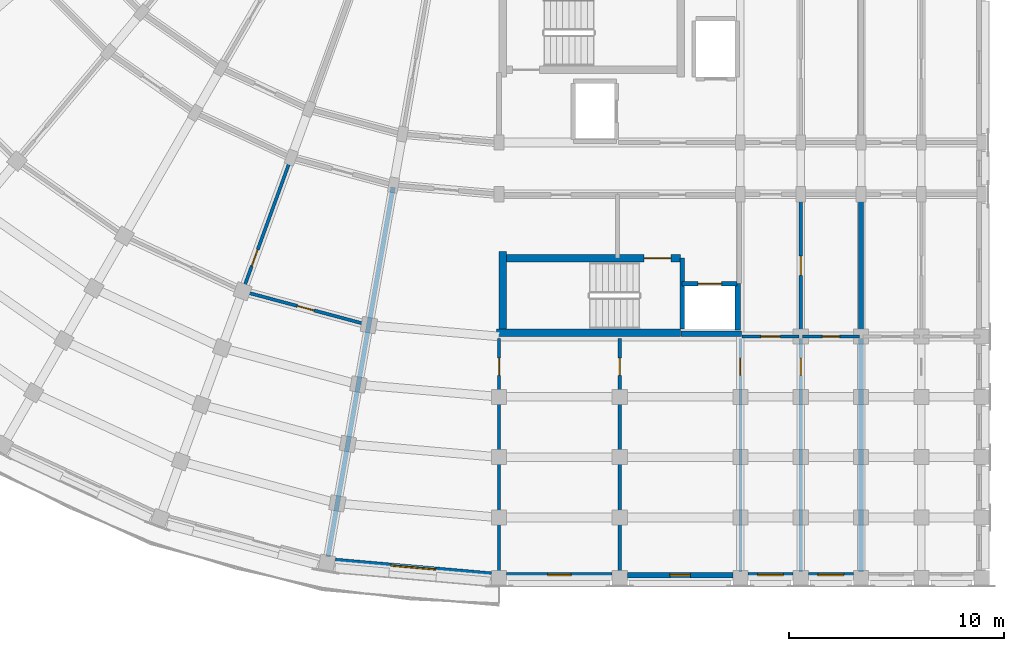
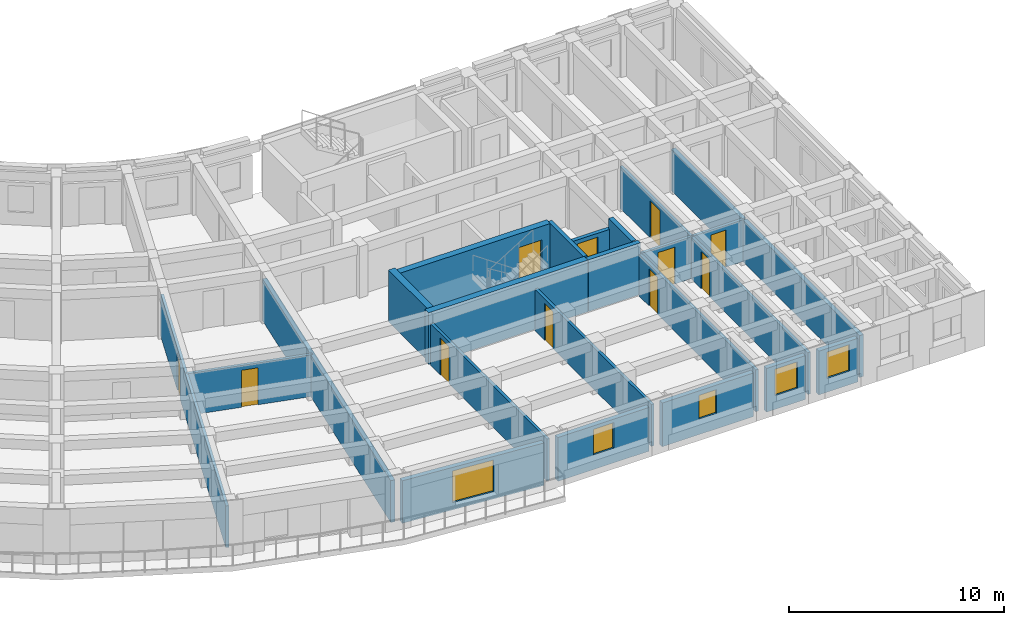
# One storey, part 16 of 57: 24 walls, 11 doors, 5 windows, 16 openings.
"""IFC4 building model written with IfcOpenShell, lengths in metres."""

from ifc_helpers import new_model, si_unit, direction, frame, frame_2d, origin, place, context, subcontext, project, spatial, rectangle, extrude, material, layer, layer_set, type_object, element, fill, save


model = new_model("IFC4")

# Units and contexts
model_context = context("Model", 3, precision=1e-05, world=origin(), true_north=direction((0.0, 1.0)))
body_context = subcontext(model_context, "Body", "Model", "MODEL_VIEW")
ifc_project = project(units=[si_unit("LENGTHUNIT", "METRE"), si_unit("AREAUNIT", "SQUARE_METRE"), si_unit("VOLUMEUNIT", "CUBIC_METRE"), si_unit("PLANEANGLEUNIT", "RADIAN"), si_unit("MASSUNIT", "GRAM", prefix="KILO")], contexts=[model_context])

# Site, building, storey
site_placement = place(None, origin())
site = spatial("IfcSite", under=ifc_project, at=site_placement, CompositionType="ELEMENT")
building_placement = place(site_placement, origin())
building = spatial("IfcBuilding", under=site, at=building_placement, Name="Kiranvali Square Residences", CompositionType="ELEMENT")
storey_placement = place(building_placement, frame((0.0, 0.0, 18.14990234375)))
storey = spatial("IfcBuildingStorey", under=building, at=storey_placement, Name="L05", CompositionType="ELEMENT", Elevation=18.14990234375)

# Walls
ifc_material_1 = material(Name="Autoclaved aerated concrete blockwork masonry", Category="masonry")
ifc_layer_1 = layer(ifc_material_1, 0.219970703125)
ifc_layer_set_1 = layer_set([ifc_layer_1], Name="Autoclaved aerated concrete blockwork masonry")
wall_type_1 = type_object("IfcWallType", Name="WL-DEM-220", PredefinedType="STANDARD", material=ifc_layer_set_1)
wall_1_placement = place(storey_placement, frame((65.0, 19.949951171875, 0.0), z_axis=(0.0, 0.0, 1.0), x_axis=(0.0, -1.0, 0.0)))
element("IfcWall", 1, at=wall_1_placement, inside=storey, type_object=wall_type_1, Name="L05 architectural wall WL-L05-C-A1TO1-2", PredefinedType="STANDARD", context=body_context, shape_type="SweptSolid", body=[
    extrude(rectangle(XDim=6.530029296875, YDim=0.219970703125, at=frame_2d((3.26513671875, 0.0))), origin(), (0.0, 0.0, 1.0), 2.3720703125),
])
wall_2_placement = place(storey_placement, frame((65.0, 13.300048828125, 0.0), z_axis=(0.0, 0.0, 1.0), x_axis=(0.0, -1.0, 0.0)))
element("IfcWall", 2, at=wall_2_placement, inside=storey, type_object=wall_type_1, Name="L05 architectural wall WL-L05-C-A1TO2-2", PredefinedType="STANDARD", context=body_context, shape_type="SweptSolid", body=[
    extrude(rectangle(XDim=10.820068359375, YDim=0.219970703125, at=frame_2d((5.41015625, 0.0))), origin(), (0.0, 0.0, 1.0), 2.3720703125),
])
wall_3_placement = place(storey_placement, frame((43.28564453125, 20.329833984375, 0.0), z_axis=(0.0, 0.0, 1.0), x_axis=(-0.173646216546, -0.984808098809, 0.0)))
element("IfcWall", 3, at=wall_3_placement, inside=storey, type_object=wall_type_1, Name="L05 architectural wall WL-L05-C-RADO-1", PredefinedType="STANDARD", context=body_context, shape_type="SweptSolid", body=[
    extrude(rectangle(XDim=17.419921875, YDim=0.219970703125, at=frame_2d((8.7099609375, 0.0))), origin(), (0.0, 0.0, 1.0), 2.3720703125),
])

# Wall, opening, window
ifc_material_2 = material(Name="Breathable lime-rendered clay brick masonry", Category="masonry")
ifc_layer_2 = layer(ifc_material_2, 0.25)
ifc_layer_set_2 = layer_set([ifc_layer_2], Name="Breathable lime-rendered clay brick masonry")
wall_type_2 = type_object("IfcWallType", Name="WL-EXT-250", PredefinedType="STANDARD", material=ifc_layer_set_2)
wall_4_placement = place(storey_placement, frame((47.83642578125, 2.357177734375, 0.0), z_axis=(0.0, 0.0, 1.0), x_axis=(-0.99619214922, 0.08718487158, 0.0)))
wall_4 = element("IfcWall", 4, at=wall_4_placement, inside=storey, type_object=wall_type_2, Name="L05 exterior wall C-L05-CRV-00", PredefinedType="STANDARD", context=body_context, shape_type="SweptSolid", body=[
    extrude(rectangle(XDim=7.2666015625, YDim=0.25, at=frame_2d((3.63330078125, 0.0))), origin(), (0.0, 0.0, 1.0), 2.412109375),
])
opening_1_placement = place(wall_4_placement, frame((2.583251953125, 0.0, 0.412109375)))
opening_1 = element("IfcOpeningElement", 5, at=opening_1_placement, cuts=wall_4, Name="Opening W-03", PredefinedType="OPENING", context=body_context, shape_type="SweptSolid", body=[
    extrude(rectangle(XDim=2.10009765625, YDim=1.800048828125, at=frame_2d((1.050048828125, 0.89990234375))), frame((0.0, 0.135009765625, 0.0), z_axis=(0.0, -1.0, 0.0), x_axis=(1.0, 0.0, 0.0)), (0.0, 0.0, 1.0), 0.27001953125),
])
ifc_material_3 = material(Name="Solar-control low-e double glazing", Category="glass")
window_type_1 = type_object("IfcWindowType", Name="WIN-RES-2100x1800", PartitioningType="TRIPLE_PANEL_VERTICAL", PredefinedType="WINDOW", material=ifc_material_3)
window_1_placement = place(opening_1_placement, origin())
window_1 = element("IfcWindow", 6, at=window_1_placement, inside=storey, type_object=window_type_1, Name="L05 recessed window C-L05-CRV-00", OverallHeight=1.800048828125, OverallWidth=2.10009765625, PartitioningType="TRIPLE_PANEL_VERTICAL", PredefinedType="WINDOW", context=body_context, shape_type="SweptSolid", body=[
    extrude(rectangle(XDim=2.10009765625, YDim=1.800048828125, at=frame_2d((1.050048828125, 0.89990234375))), frame((0.0, 0.030029296875, 0.0), z_axis=(0.0, -1.0, 0.0), x_axis=(1.0, 0.0, 0.0)), (0.0, 0.0, 1.0), 0.06005859375),
])
fill(opening_1, window_1)

wall_5_placement = place(storey_placement, frame((48.553466796875, 2.324951171875, 0.0), z_axis=(0.0, 0.0, 1.0), x_axis=(1.0, 0.0, 0.0)))
wall_5 = element("IfcWall", 7, at=wall_5_placement, inside=storey, type_object=wall_type_2, Name="L05 exterior wall C-L05-A1O-0", PredefinedType="STANDARD", context=body_context, shape_type="SweptSolid", body=[
    extrude(rectangle(XDim=4.89306640625, YDim=0.25, at=frame_2d((2.446533203125, 0.0))), origin(), (0.0, 0.0, 1.0), 2.47998046875),
])
opening_2_placement = place(wall_5_placement, frame((1.896484375, 0.0, 0.830078125)))
opening_2 = element("IfcOpeningElement", 8, at=opening_2_placement, cuts=wall_5, Name="Opening W-15", PredefinedType="OPENING", context=body_context, shape_type="SweptSolid", body=[
    extrude(rectangle(XDim=1.10009765625, YDim=1.449951171875, at=frame_2d((0.550048828125, 0.72509765625))), frame((0.0, 0.135009765625, 0.0), z_axis=(0.0, -1.0, 0.0), x_axis=(1.0, 0.0, 0.0)), (0.0, 0.0, 1.0), 0.27001953125),
])
window_type_2 = type_object("IfcWindowType", Name="WIN-RES-1100x1450", PartitioningType="SINGLE_PANEL", PredefinedType="WINDOW", material=ifc_material_3)
window_2_placement = place(opening_2_placement, origin())
window_2 = element("IfcWindow", 9, at=window_2_placement, inside=storey, type_object=window_type_2, Name="L05 recessed window C-L05-A1O-0", OverallHeight=1.449951171875, OverallWidth=1.10009765625, PartitioningType="SINGLE_PANEL", PredefinedType="WINDOW", context=body_context, shape_type="SweptSolid", body=[
    extrude(rectangle(XDim=1.10009765625, YDim=1.449951171875, at=frame_2d((0.550048828125, 0.72509765625))), frame((0.0, 0.030029296875, 0.0), z_axis=(0.0, -1.0, 0.0), x_axis=(1.0, 0.0, 0.0)), (0.0, 0.0, 1.0), 0.06005859375),
])
fill(opening_2, window_2)

wall_6_placement = place(storey_placement, frame((54.153564453125, 2.324951171875, 0.0), z_axis=(0.0, 0.0, 1.0), x_axis=(1.0, 0.0, 0.0)))
wall_6 = element("IfcWall", 10, at=wall_6_placement, inside=storey, type_object=wall_type_2, Name="L05 exterior wall C-L05-A1O-1", PredefinedType="STANDARD", context=body_context, shape_type="SweptSolid", body=[
    extrude(rectangle(XDim=4.892822265625, YDim=0.25, at=frame_2d((2.4462890625, 0.0))), origin(), (0.0, 0.0, 1.0), 2.47998046875),
])
opening_3_placement = place(wall_6_placement, frame((1.971435546875, 0.0, 0.8798828125)))
opening_3 = element("IfcOpeningElement", 11, at=opening_3_placement, cuts=wall_6, Name="Opening W-16", PredefinedType="OPENING", context=body_context, shape_type="SweptSolid", body=[
    extrude(rectangle(XDim=0.949951171875, YDim=1.35009765625, at=frame_2d((0.47509765625, 0.675048828125))), frame((0.0, 0.135009765625, 0.0), z_axis=(0.0, -1.0, 0.0), x_axis=(1.0, 0.0, 0.0)), (0.0, 0.0, 1.0), 0.27001953125),
])
window_type_3 = type_object("IfcWindowType", Name="WIN-RES-950x1350", PartitioningType="SINGLE_PANEL", PredefinedType="WINDOW", material=ifc_material_3)
window_3_placement = place(opening_3_placement, origin())
window_3 = element("IfcWindow", 12, at=window_3_placement, inside=storey, type_object=window_type_3, Name="L05 recessed window C-L05-A1O-1", OverallHeight=1.35009765625, OverallWidth=0.949951171875, PartitioningType="SINGLE_PANEL", PredefinedType="WINDOW", context=body_context, shape_type="SweptSolid", body=[
    extrude(rectangle(XDim=0.949951171875, YDim=1.35009765625, at=frame_2d((0.47509765625, 0.675048828125))), frame((0.0, 0.030029296875, 0.0), z_axis=(0.0, -1.0, 0.0), x_axis=(1.0, 0.0, 0.0)), (0.0, 0.0, 1.0), 0.06005859375),
])
fill(opening_3, window_3)

wall_7_placement = place(storey_placement, frame((59.75341796875, 2.324951171875, 0.0), z_axis=(0.0, 0.0, 1.0), x_axis=(1.0, 0.0, 0.0)))
wall_7 = element("IfcWall", 13, at=wall_7_placement, inside=storey, type_object=wall_type_2, Name="L05 exterior wall C-L05-A1O-2", PredefinedType="STANDARD", context=body_context, shape_type="SweptSolid", body=[
    extrude(rectangle(XDim=2.093017578125, YDim=0.25, at=frame_2d((1.04638671875, 0.0))), origin(), (0.0, 0.0, 1.0), 2.47998046875),
])
opening_4_placement = place(wall_7_placement, frame((0.446533203125, 0.0, 0.780029296875)))
opening_4 = element("IfcOpeningElement", 14, at=opening_4_placement, cuts=wall_7, Name="Opening W-06", PredefinedType="OPENING", context=body_context, shape_type="SweptSolid", body=[
    extrude(rectangle(XDim=1.199951171875, YDim=1.5, at=frame_2d((0.60009765625, 0.75))), frame((0.0, 0.135009765625, 0.0), z_axis=(0.0, -1.0, 0.0), x_axis=(1.0, 0.0, 0.0)), (0.0, 0.0, 1.0), 0.27001953125),
])
window_type_4 = type_object("IfcWindowType", Name="WIN-RES-1200x1500", PartitioningType="SINGLE_PANEL", PredefinedType="WINDOW", material=ifc_material_3)
window_4_placement = place(opening_4_placement, origin())
window_4 = element("IfcWindow", 15, at=window_4_placement, inside=storey, type_object=window_type_4, Name="L05 recessed window C-L05-A1O-2", OverallHeight=1.5, OverallWidth=1.199951171875, PartitioningType="SINGLE_PANEL", PredefinedType="WINDOW", context=body_context, shape_type="SweptSolid", body=[
    extrude(rectangle(XDim=1.199951171875, YDim=1.5, at=frame_2d((0.60009765625, 0.75))), frame((0.0, 0.030029296875, 0.0), z_axis=(0.0, -1.0, 0.0), x_axis=(1.0, 0.0, 0.0)), (0.0, 0.0, 1.0), 0.06005859375),
])
fill(opening_4, window_4)

wall_8_placement = place(storey_placement, frame((62.553466796875, 2.324951171875, 0.0), z_axis=(0.0, 0.0, 1.0), x_axis=(1.0, 0.0, 0.0)))
wall_8 = element("IfcWall", 16, at=wall_8_placement, inside=storey, type_object=wall_type_2, Name="L05 exterior wall C-L05-A1O-3", PredefinedType="STANDARD", context=body_context, shape_type="SweptSolid", body=[
    extrude(rectangle(XDim=2.093017578125, YDim=0.25, at=frame_2d((1.04638671875, 0.0))), origin(), (0.0, 0.0, 1.0), 2.47998046875),
])
opening_5_placement = place(wall_8_placement, frame((0.446533203125, 0.0, 0.780029296875)))
opening_5 = element("IfcOpeningElement", 17, at=opening_5_placement, cuts=wall_8, Name="Opening W-06", PredefinedType="OPENING", context=body_context, shape_type="SweptSolid", body=[
    extrude(rectangle(XDim=1.199951171875, YDim=1.5, at=frame_2d((0.60009765625, 0.75))), frame((0.0, 0.135009765625, 0.0), z_axis=(0.0, -1.0, 0.0), x_axis=(1.0, 0.0, 0.0)), (0.0, 0.0, 1.0), 0.27001953125),
])
window_5_placement = place(opening_5_placement, origin())
window_5 = element("IfcWindow", 18, at=window_5_placement, inside=storey, type_object=window_type_4, Name="L05 recessed window C-L05-A1O-3", OverallHeight=1.5, OverallWidth=1.199951171875, PartitioningType="SINGLE_PANEL", PredefinedType="WINDOW", context=body_context, shape_type="SweptSolid", body=[
    extrude(rectangle(XDim=1.199951171875, YDim=1.5, at=frame_2d((0.60009765625, 0.75))), frame((0.0, 0.030029296875, 0.0), z_axis=(0.0, -1.0, 0.0), x_axis=(1.0, 0.0, 0.0)), (0.0, 0.0, 1.0), 0.06005859375),
])
fill(opening_5, window_5)

# Wall, opening, door
ifc_layer_3 = layer(ifc_material_1, 0.199951171875)
ifc_layer_set_3 = layer_set([ifc_layer_3], Name="Autoclaved aerated concrete blockwork masonry")
wall_type_3 = type_object("IfcWallType", Name="WL-FFL-200", PredefinedType="STANDARD", material=ifc_layer_set_3)
wall_9_placement = place(storey_placement, frame((56.699951171875, 15.85009765625, 0.0), z_axis=(0.0, 0.0, 1.0), x_axis=(1.0, 0.0, 0.0)))
wall_9 = element("IfcWall", 19, at=wall_9_placement, inside=storey, type_object=wall_type_3, Name="L05 architectural wall WL-L05-C-FF-LFT", PredefinedType="STANDARD", context=body_context, shape_type="SweptSolid", body=[
    extrude(rectangle(XDim=2.550048828125, YDim=0.199951171875, at=frame_2d((1.27490234375, 0.0))), origin(), (0.0, 0.0, 1.0), 2.3720703125),
])
opening_6_placement = place(wall_9_placement, frame((0.72509765625, 0.0, 0.0)))
opening_6 = element("IfcOpeningElement", 20, at=opening_6_placement, cuts=wall_9, Name="Opening LD-FF-110", PredefinedType="OPENING", context=body_context, shape_type="SweptSolid", body=[
    extrude(rectangle(XDim=1.10009765625, YDim=2.14990234375, at=frame_2d((0.550048828125, 1.074951171875))), frame((0.0, 0.10986328125, 0.0), z_axis=(0.0, -1.0, 0.0), x_axis=(1.0, 0.0, 0.0)), (0.0, 0.0, 1.0), 0.219970703125),
])
ifc_material_4 = material(Name="Fire-rated acoustic hardwood and mineral-core door assembly", Category="wood")
door_type_1 = type_object("IfcDoorType", Name="DR-LIFT-FF-1100", OperationType="SLIDING_TO_LEFT", PredefinedType="DOOR", material=ifc_material_4)
door_1_placement = place(opening_6_placement, origin())
door_1 = element("IfcDoor", 21, at=door_1_placement, inside=storey, type_object=door_type_1, Name="L05 door DR-L05-2022 (DR-LIFT-FF-1100)", OperationType="SLIDING_TO_LEFT", OverallHeight=2.14990234375, OverallWidth=1.10009765625, PredefinedType="DOOR", context=body_context, shape_type="SweptSolid", body=[
    extrude(rectangle(XDim=1.10009765625, YDim=2.14990234375, at=frame_2d((0.550048828125, 1.074951171875))), frame((0.0, 0.02490234375, 0.0), z_axis=(0.0, -1.0, 0.0), x_axis=(1.0, 0.0, 0.0)), (0.0, 0.0, 1.0), 0.050048828125),
])
fill(opening_6, door_1)

ifc_material_5 = material(Name="Acoustic gypsum board drylined partition", Category="gypsum")
ifc_layer_4 = layer(ifc_material_5, 0.14990234375)
ifc_layer_set_4 = layer_set([ifc_layer_4], Name="Acoustic gypsum board drylined partition")
wall_type_4 = type_object("IfcWallType", Name="WL-PRT-150", PredefinedType="PARTITIONING", material=ifc_layer_set_4)
wall_10_placement = place(storey_placement, frame((53.800048828125, 13.300048828125, 0.0), z_axis=(0.0, 0.0, 1.0), x_axis=(0.0, -1.0, 0.0)))
wall_10 = element("IfcWall", 22, at=wall_10_placement, inside=storey, type_object=wall_type_4, Name="L05 architectural wall WL-L05-C-CF-MID", PredefinedType="PARTITIONING", context=body_context, shape_type="SweptSolid", body=[
    extrude(rectangle(XDim=10.820068359375, YDim=0.14990234375, at=frame_2d((5.41015625, 0.0))), origin(), (0.0, 0.0, 1.0), 2.3720703125),
])
opening_7_placement = place(wall_10_placement, frame((0.8994140625, 0.0, 0.0)))
opening_7 = element("IfcOpeningElement", 23, at=opening_7_placement, cuts=wall_10, Name="Opening ID-WET", PredefinedType="OPENING", context=body_context, shape_type="SweptSolid", body=[
    extrude(rectangle(XDim=0.800048828125, YDim=2.10009765625, at=frame_2d((0.39990234375, 1.050048828125))), frame((0.0, 0.0849609375, 0.0), z_axis=(0.0, -1.0, 0.0), x_axis=(1.0, 0.0, 0.0)), (0.0, 0.0, 1.0), 0.169921875),
])
ifc_material_6 = material(Name="Solid seasoned teak hardwood joinery", Category="wood")
door_type_2 = type_object("IfcDoorType", Name="DR-WET-800", OperationType="NOTDEFINED", PredefinedType="DOOR", material=ifc_material_6)
door_2_placement = place(opening_7_placement, origin())
door_2 = element("IfcDoor", 24, at=door_2_placement, inside=storey, type_object=door_type_2, Name="L05 door DR-L05-2031 (DR-WET-800)", OperationType="SINGLE_SWING_LEFT", OverallHeight=2.10009765625, OverallWidth=0.800048828125, PredefinedType="DOOR", context=body_context, shape_type="SweptSolid", body=[
    extrude(rectangle(XDim=0.800048828125, YDim=2.10009765625, at=frame_2d((0.39990234375, 1.050048828125))), frame((0.0, 0.02490234375, 0.0), z_axis=(0.0, -1.0, 0.0), x_axis=(1.0, 0.0, 0.0)), (0.0, 0.0, 1.0), 0.050048828125),
])
fill(opening_7, door_2)

wall_11_placement = place(storey_placement, frame((59.39990234375, 13.300048828125, 0.0), z_axis=(0.0, 0.0, 1.0), x_axis=(0.0, -1.0, 0.0)))
wall_11 = element("IfcWall", 25, at=wall_11_placement, inside=storey, type_object=wall_type_4, Name="L05 architectural wall WL-L05-C-A1TO2-0", PredefinedType="PARTITIONING", context=body_context, shape_type="SweptSolid", body=[
    extrude(rectangle(XDim=10.820068359375, YDim=0.14990234375, at=frame_2d((5.41015625, 0.0))), origin(), (0.0, 0.0, 1.0), 2.3720703125),
])
opening_8_placement = place(wall_11_placement, frame((0.8994140625, 0.0, 0.0)))
opening_8 = element("IfcOpeningElement", 26, at=opening_8_placement, cuts=wall_11, Name="Opening ID-WET", PredefinedType="OPENING", context=body_context, shape_type="SweptSolid", body=[
    extrude(rectangle(XDim=0.800048828125, YDim=2.10009765625, at=frame_2d((0.39990234375, 1.050048828125))), frame((0.0, 0.0849609375, 0.0), z_axis=(0.0, -1.0, 0.0), x_axis=(1.0, 0.0, 0.0)), (0.0, 0.0, 1.0), 0.169921875),
])
door_3_placement = place(opening_8_placement, frame((0.800048828125, 0.0, 0.0), z_axis=(0.0, 0.0, 1.0), x_axis=(-1.0, 0.0, 0.0)))
door_3 = element("IfcDoor", 27, at=door_3_placement, inside=storey, type_object=door_type_2, Name="L05 door DR-L05-2040 (DR-WET-800)", OperationType="SINGLE_SWING_RIGHT", OverallHeight=2.10009765625, OverallWidth=0.800048828125, PredefinedType="DOOR", context=body_context, shape_type="SweptSolid", body=[
    extrude(rectangle(XDim=0.800048828125, YDim=2.10009765625, at=frame_2d((0.39990234375, 1.050048828125))), frame((0.0, 0.02490234375, 0.0), z_axis=(0.0, -1.0, 0.0), x_axis=(1.0, 0.0, 0.0)), (0.0, 0.0, 1.0), 0.050048828125),
])
fill(opening_8, door_3)

wall_12_placement = place(storey_placement, frame((62.199951171875, 19.949951171875, 0.0), z_axis=(0.0, 0.0, 1.0), x_axis=(0.0, -1.0, 0.0)))
wall_12 = element("IfcWall", 28, at=wall_12_placement, inside=storey, type_object=wall_type_4, Name="L05 architectural wall WL-L05-C-A1TO1-1", PredefinedType="PARTITIONING", context=body_context, shape_type="SweptSolid", body=[
    extrude(rectangle(XDim=6.530029296875, YDim=0.14990234375, at=frame_2d((3.26513671875, 0.0))), origin(), (0.0, 0.0, 1.0), 2.3720703125),
])
opening_9_placement = place(wall_12_placement, frame((2.81494140625, 0.0, 0.0)))
opening_9 = element("IfcOpeningElement", 29, at=opening_9_placement, cuts=wall_12, Name="Opening ID-1", PredefinedType="OPENING", context=body_context, shape_type="SweptSolid", body=[
    extrude(rectangle(XDim=0.89990234375, YDim=2.10009765625, at=frame_2d((0.449951171875, 1.050048828125))), frame((0.0, 0.0849609375, 0.0), z_axis=(0.0, -1.0, 0.0), x_axis=(1.0, 0.0, 0.0)), (0.0, 0.0, 1.0), 0.169921875),
])
door_type_3 = type_object("IfcDoorType", Name="DR-INT-900", OperationType="NOTDEFINED", PredefinedType="DOOR", material=ifc_material_6)
door_4_placement = place(opening_9_placement, frame((0.89990234375, 0.0, 0.0), z_axis=(0.0, 0.0, 1.0), x_axis=(-1.0, 0.0, 0.0)))
door_4 = element("IfcDoor", 30, at=door_4_placement, inside=storey, type_object=door_type_3, Name="L05 door DR-L05-2042 (DR-INT-900)", OperationType="SINGLE_SWING_RIGHT", OverallHeight=2.10009765625, OverallWidth=0.89990234375, PredefinedType="DOOR", context=body_context, shape_type="SweptSolid", body=[
    extrude(rectangle(XDim=0.89990234375, YDim=2.10009765625, at=frame_2d((0.449951171875, 1.050048828125))), frame((0.0, 0.02490234375, 0.0), z_axis=(0.0, -1.0, 0.0), x_axis=(1.0, 0.0, 0.0)), (0.0, 0.0, 1.0), 0.050048828125),
])
fill(opening_9, door_4)

wall_13_placement = place(storey_placement, frame((62.199951171875, 13.300048828125, 0.0), z_axis=(0.0, 0.0, 1.0), x_axis=(0.0, -1.0, 0.0)))
wall_13 = element("IfcWall", 31, at=wall_13_placement, inside=storey, type_object=wall_type_4, Name="L05 architectural wall WL-L05-C-A1TO2-1", PredefinedType="PARTITIONING", context=body_context, shape_type="SweptSolid", body=[
    extrude(rectangle(XDim=10.820068359375, YDim=0.14990234375, at=frame_2d((5.41015625, 0.0))), origin(), (0.0, 0.0, 1.0), 2.3720703125),
])
opening_10_placement = place(wall_13_placement, frame((0.8994140625, 0.0, 0.0)))
opening_10 = element("IfcOpeningElement", 32, at=opening_10_placement, cuts=wall_13, Name="Opening ID-WET", PredefinedType="OPENING", context=body_context, shape_type="SweptSolid", body=[
    extrude(rectangle(XDim=0.800048828125, YDim=2.10009765625, at=frame_2d((0.39990234375, 1.050048828125))), frame((0.0, 0.0849609375, 0.0), z_axis=(0.0, -1.0, 0.0), x_axis=(1.0, 0.0, 0.0)), (0.0, 0.0, 1.0), 0.169921875),
])
door_5_placement = place(opening_10_placement, origin())
door_5 = element("IfcDoor", 33, at=door_5_placement, inside=storey, type_object=door_type_2, Name="L05 door DR-L05-2043 (DR-WET-800)", OperationType="SINGLE_SWING_LEFT", OverallHeight=2.10009765625, OverallWidth=0.800048828125, PredefinedType="DOOR", context=body_context, shape_type="SweptSolid", body=[
    extrude(rectangle(XDim=0.800048828125, YDim=2.10009765625, at=frame_2d((0.39990234375, 1.050048828125))), frame((0.0, 0.02490234375, 0.0), z_axis=(0.0, -1.0, 0.0), x_axis=(1.0, 0.0, 0.0)), (0.0, 0.0, 1.0), 0.050048828125),
])
fill(opening_10, door_5)

wall_14_placement = place(storey_placement, frame((48.199951171875, 13.300048828125, 0.0), z_axis=(0.0, 0.0, 1.0), x_axis=(0.0, -1.0, 0.0)))
wall_14 = element("IfcWall", 34, at=wall_14_placement, inside=storey, type_object=wall_type_4, Name="L05 architectural wall WL-L05-C-RADO-0", PredefinedType="PARTITIONING", context=body_context, shape_type="SweptSolid", body=[
    extrude(rectangle(XDim=10.820068359375, YDim=0.14990234375, at=frame_2d((5.41015625, 0.0))), origin(), (0.0, 0.0, 1.0), 2.3720703125),
])
opening_11_placement = place(wall_14_placement, frame((0.8994140625, 0.0, 0.0)))
opening_11 = element("IfcOpeningElement", 35, at=opening_11_placement, cuts=wall_14, Name="Opening ID-WET", PredefinedType="OPENING", context=body_context, shape_type="SweptSolid", body=[
    extrude(rectangle(XDim=0.800048828125, YDim=2.10009765625, at=frame_2d((0.39990234375, 1.050048828125))), frame((0.0, 0.0849609375, 0.0), z_axis=(0.0, -1.0, 0.0), x_axis=(1.0, 0.0, 0.0)), (0.0, 0.0, 1.0), 0.169921875),
])
door_6_placement = place(opening_11_placement, origin())
door_6 = element("IfcDoor", 36, at=door_6_placement, inside=storey, type_object=door_type_2, Name="L05 door DR-L05-2047 (DR-WET-800)", OperationType="SINGLE_SWING_LEFT", OverallHeight=2.10009765625, OverallWidth=0.800048828125, PredefinedType="DOOR", context=body_context, shape_type="SweptSolid", body=[
    extrude(rectangle(XDim=0.800048828125, YDim=2.10009765625, at=frame_2d((0.39990234375, 1.050048828125))), frame((0.0, 0.02490234375, 0.0), z_axis=(0.0, -1.0, 0.0), x_axis=(1.0, 0.0, 0.0)), (0.0, 0.0, 1.0), 0.050048828125),
])
fill(opening_11, door_6)

wall_15_placement = place(storey_placement, frame((38.520751953125, 21.606689453125, 0.0), z_axis=(0.0, 0.0, 1.0), x_axis=(-0.342022120477, -0.939691901159, 0.0)))
wall_15 = element("IfcWall", 37, at=wall_15_placement, inside=storey, type_object=wall_type_4, Name="L05 architectural wall WL-L05-C-RADO-2", PredefinedType="PARTITIONING", context=body_context, shape_type="SweptSolid", body=[
    extrude(rectangle(XDim=17.419921875, YDim=0.14990234375, at=frame_2d((8.7099609375, 0.0))), origin(), (0.0, 0.0, 1.0), 2.3720703125),
])
opening_12_placement = place(wall_15_placement, frame((4.44970703125, 0.0, 0.0)))
opening_12 = element("IfcOpeningElement", 38, at=opening_12_placement, cuts=wall_15, Name="Opening ID-WET", PredefinedType="OPENING", context=body_context, shape_type="SweptSolid", body=[
    extrude(rectangle(XDim=0.800048828125, YDim=2.10009765625, at=frame_2d((0.39990234375, 1.050048828125))), frame((0.0, 0.0849609375, 0.0), z_axis=(0.0, -1.0, 0.0), x_axis=(1.0, 0.0, 0.0)), (0.0, 0.0, 1.0), 0.169921875),
])
door_7_placement = place(opening_12_placement, origin())
door_7 = element("IfcDoor", 39, at=door_7_placement, inside=storey, type_object=door_type_2, Name="L05 door DR-L05-2049 (DR-WET-800)", OperationType="SINGLE_SWING_LEFT", OverallHeight=2.10009765625, OverallWidth=0.800048828125, PredefinedType="DOOR", context=body_context, shape_type="SweptSolid", body=[
    extrude(rectangle(XDim=0.800048828125, YDim=2.10009765625, at=frame_2d((0.39990234375, 1.050048828125))), frame((0.0, 0.02490234375, 0.0), z_axis=(0.0, -1.0, 0.0), x_axis=(1.0, 0.0, 0.0)), (0.0, 0.0, 1.0), 0.050048828125),
])
fill(opening_12, door_7)

# Walls
ifc_layer_5 = layer(ifc_material_1, 0.199951171875)
ifc_layer_set_5 = layer_set([ifc_layer_5], Name="Autoclaved aerated concrete blockwork masonry")
wall_type_5 = type_object("IfcWallType", Name="WL-SHF-200", PredefinedType="STANDARD", material=ifc_layer_set_5)
wall_16_placement = place(storey_placement, frame((56.699951171875, 17.050048828125, 0.0), z_axis=(0.0, 0.0, 1.0), x_axis=(0.0, -1.0, 0.0)))
element("IfcWall", 40, at=wall_16_placement, inside=storey, type_object=wall_type_5, Name="L05 architectural wall WL-L05-C-FF-SHF", PredefinedType="STANDARD", context=body_context, shape_type="SweptSolid", body=[
    extrude(rectangle(XDim=3.300048828125, YDim=0.199951171875, at=frame_2d((1.64990234375, 0.0))), origin(), (0.0, 0.0, 1.0), 2.93017578125),
])
ifc_material_7 = material(Name="Concrete M45 (45 MPa)", Category="concrete")
ifc_layer_6 = layer(ifc_material_7, 0.25)
ifc_layer_set_6 = layer_set([ifc_layer_6], Name="Concrete M45 (45 MPa)")
wall_type_6 = type_object("IfcWallType", Name="WL-SHR-250", PredefinedType="SHEAR", material=ifc_layer_set_6)
wall_17_placement = place(storey_placement, frame((56.64990234375, 13.52490234375, 0.0), z_axis=(0.0, 0.0, 1.0), x_axis=(1.0, 0.0, 0.0)))
element("IfcWall", 41, at=wall_17_placement, inside=storey, type_object=wall_type_6, Name="Block C core shear wall SW-CFF-BK-L05", PredefinedType="SHEAR", context=body_context, shape_type="SweptSolid", body=[
    extrude(rectangle(XDim=2.800048828125, YDim=0.25, at=frame_2d((1.39990234375, 0.0))), origin(), (0.0, 0.0, 1.0), 2.93017578125),
])
wall_18_placement = place(storey_placement, frame((59.27490234375, 15.85009765625, 0.0), z_axis=(0.0, 0.0, 1.0), x_axis=(0.0, -1.0, 0.0)))
element("IfcWall", 42, at=wall_18_placement, inside=storey, type_object=wall_type_6, Name="Block C core shear wall SW-CFF-SD-L05", PredefinedType="SHEAR", context=body_context, shape_type="SweptSolid", body=[
    extrude(rectangle(XDim=2.150146484375, YDim=0.25, at=frame_2d((1.0751953125, 0.0))), origin(), (0.0, 0.0, 1.0), 2.93017578125),
])
ifc_material_8 = material(Name="Concrete M50 (50 MPa)", Category="concrete")
ifc_layer_7 = layer(ifc_material_8, 0.35009765625)
ifc_layer_set_7 = layer_set([ifc_layer_7], Name="Concrete M50 (50 MPa)")
wall_type_7 = type_object("IfcWallType", Name="WL-SHR-350", PredefinedType="SHEAR", material=ifc_layer_set_7)
wall_19_placement = place(storey_placement, frame((48.080078125, 13.574951171875, 0.0), z_axis=(0.0, 0.0, 1.0), x_axis=(1.0, 0.0, 0.0)))
element("IfcWall", 43, at=wall_19_placement, inside=storey, type_object=wall_type_7, Name="Block C core shear wall SW-C1-OUT-L05", PredefinedType="SHEAR", context=body_context, shape_type="SweptSolid", body=[
    extrude(rectangle(XDim=8.544921875, YDim=0.35009765625, at=frame_2d((4.2724609375, 0.0))), origin(), (0.0, 0.0, 1.0), 2.93017578125),
])

# Wall, opening, door
wall_20_placement = place(storey_placement, frame((48.550048828125, 17.02490234375, 0.0), z_axis=(0.0, 0.0, 1.0), x_axis=(1.0, 0.0, 0.0)))
wall_20 = element("IfcWall", 44, at=wall_20_placement, inside=storey, type_object=wall_type_7, Name="Block C core shear wall SW-C1-IN-L05", PredefinedType="SHEAR", context=body_context, shape_type="SweptSolid", body=[
    extrude(rectangle(XDim=8.074951171875, YDim=0.35009765625, at=frame_2d((4.03759765625, 0.0))), origin(), (0.0, 0.0, 1.0), 2.93017578125),
])
opening_13_placement = place(wall_20_placement, frame((6.3798828125, 0.0, 0.0)))
opening_13 = element("IfcOpeningElement", 45, at=opening_13_placement, cuts=wall_20, Name="Opening FD-ST-120", PredefinedType="OPENING", context=body_context, shape_type="SweptSolid", body=[
    extrude(rectangle(XDim=1.239990234375, YDim=2.14990234375, at=frame_2d((0.6201171875, 1.074951171875))), frame((0.0, 0.18505859375, 0.0), z_axis=(0.0, -1.0, 0.0), x_axis=(1.0, 0.0, 0.0)), (0.0, 0.0, 1.0), 0.3701171875),
])
door_type_4 = type_object("IfcDoorType", Name="DR-FD120-1200", OperationType="NOTDEFINED", PredefinedType="DOOR", material=ifc_material_4)
door_8_placement = place(opening_13_placement, frame((1.239990234375, 0.0, 0.0), z_axis=(0.0, 0.0, 1.0), x_axis=(-1.0, 0.0, 0.0)))
door_8 = element("IfcDoor", 46, at=door_8_placement, inside=storey, type_object=door_type_4, Name="L05 door DR-L05-2023 (DR-FD120-1200)", OperationType="SINGLE_SWING_LEFT", OverallHeight=2.14990234375, OverallWidth=1.239990234375, PredefinedType="DOOR", context=body_context, shape_type="SweptSolid", body=[
    extrude(rectangle(XDim=1.239990234375, YDim=2.14990234375, at=frame_2d((0.6201171875, 1.074951171875))), frame((0.0, 0.02490234375, 0.0), z_axis=(0.0, -1.0, 0.0), x_axis=(1.0, 0.0, 0.0)), (0.0, 0.0, 1.0), 0.050048828125),
])
fill(opening_13, door_8)

# Wall
wall_21_placement = place(storey_placement, frame((48.375, 17.35009765625, 0.0), z_axis=(0.0, 0.0, 1.0), x_axis=(0.0, -1.0, 0.0)))
element("IfcWall", 47, at=wall_21_placement, inside=storey, type_object=wall_type_7, Name="Block C core shear wall SW-C1-FAR-L05", PredefinedType="SHEAR", context=body_context, shape_type="SweptSolid", body=[
    extrude(rectangle(XDim=3.60009765625, YDim=0.35009765625, at=frame_2d((1.800048828125, 0.0))), origin(), (0.0, 0.0, 1.0), 2.93017578125),
])

# Wall, opening, door
ifc_layer_8 = layer(ifc_material_1, 0.14990234375)
ifc_layer_set_8 = layer_set([ifc_layer_8], Name="Autoclaved aerated concrete blockwork masonry")
wall_type_8 = type_object("IfcWallType", Name="WL-WET-150", PredefinedType="PLUMBINGWALL", material=ifc_layer_set_8)
wall_22_placement = place(storey_placement, frame((59.47998046875, 13.39990234375, 0.0), z_axis=(0.0, 0.0, 1.0), x_axis=(1.0, 0.0, 0.0)))
wall_22 = element("IfcWall", 48, at=wall_22_placement, inside=storey, type_object=wall_type_8, Name="L05 architectural wall WL-L05-C-A1SP-0", PredefinedType="PLUMBINGWALL", context=body_context, shape_type="SweptSolid", body=[
    extrude(rectangle(XDim=2.64013671875, YDim=0.14990234375, at=frame_2d((1.320068359375, 0.0))), origin(), (0.0, 0.0, 1.0), 2.3720703125),
])
opening_14_placement = place(wall_22_placement, frame((0.8701171875, 0.0, 0.0)))
opening_14 = element("IfcOpeningElement", 49, at=opening_14_placement, cuts=wall_22, Name="Opening ID-1", PredefinedType="OPENING", context=body_context, shape_type="SweptSolid", body=[
    extrude(rectangle(XDim=0.89990234375, YDim=2.10009765625, at=frame_2d((0.449951171875, 1.050048828125))), frame((0.0, 0.0849609375, 0.0), z_axis=(0.0, -1.0, 0.0), x_axis=(1.0, 0.0, 0.0)), (0.0, 0.0, 1.0), 0.169921875),
])
door_9_placement = place(opening_14_placement, origin())
door_9 = element("IfcDoor", 50, at=door_9_placement, inside=storey, type_object=door_type_3, Name="L05 door DR-L05-2033 (DR-INT-900)", OperationType="SINGLE_SWING_LEFT", OverallHeight=2.10009765625, OverallWidth=0.89990234375, PredefinedType="DOOR", context=body_context, shape_type="SweptSolid", body=[
    extrude(rectangle(XDim=0.89990234375, YDim=2.10009765625, at=frame_2d((0.449951171875, 1.050048828125))), frame((0.0, 0.02490234375, 0.0), z_axis=(0.0, -1.0, 0.0), x_axis=(1.0, 0.0, 0.0)), (0.0, 0.0, 1.0), 0.050048828125),
])
fill(opening_14, door_9)

wall_23_placement = place(storey_placement, frame((62.280029296875, 13.39990234375, 0.0), z_axis=(0.0, 0.0, 1.0), x_axis=(1.0, 0.0, 0.0)))
wall_23 = element("IfcWall", 51, at=wall_23_placement, inside=storey, type_object=wall_type_8, Name="L05 architectural wall WL-L05-C-A1SP-1", PredefinedType="PLUMBINGWALL", context=body_context, shape_type="SweptSolid", body=[
    extrude(rectangle(XDim=2.639892578125, YDim=0.14990234375, at=frame_2d((1.31982421875, 0.0))), origin(), (0.0, 0.0, 1.0), 2.3720703125),
])
opening_15_placement = place(wall_23_placement, frame((0.919921875, 0.0, 0.0)))
opening_15 = element("IfcOpeningElement", 52, at=opening_15_placement, cuts=wall_23, Name="Opening ID-WET", PredefinedType="OPENING", context=body_context, shape_type="SweptSolid", body=[
    extrude(rectangle(XDim=0.800048828125, YDim=2.10009765625, at=frame_2d((0.39990234375, 1.050048828125))), frame((0.0, 0.0849609375, 0.0), z_axis=(0.0, -1.0, 0.0), x_axis=(1.0, 0.0, 0.0)), (0.0, 0.0, 1.0), 0.169921875),
])
door_10_placement = place(opening_15_placement, origin())
door_10 = element("IfcDoor", 53, at=door_10_placement, inside=storey, type_object=door_type_2, Name="L05 door DR-L05-2035 (DR-WET-800)", OperationType="SINGLE_SWING_LEFT", OverallHeight=2.10009765625, OverallWidth=0.800048828125, PredefinedType="DOOR", context=body_context, shape_type="SweptSolid", body=[
    extrude(rectangle(XDim=0.800048828125, YDim=2.10009765625, at=frame_2d((0.39990234375, 1.050048828125))), frame((0.0, 0.02490234375, 0.0), z_axis=(0.0, -1.0, 0.0), x_axis=(1.0, 0.0, 0.0)), (0.0, 0.0, 1.0), 0.050048828125),
])
fill(opening_15, door_10)

wall_24_placement = place(storey_placement, frame((42.156982421875, 13.9287109375, 0.0), z_axis=(0.0, 0.0, 1.0), x_axis=(-0.965923618901, 0.258827283048, 0.0)))
wall_24 = element("IfcWall", 54, at=wall_24_placement, inside=storey, type_object=wall_type_8, Name="L05 architectural wall WL-L05-C-CWET-1", PredefinedType="PLUMBINGWALL", context=body_context, shape_type="SweptSolid", body=[
    extrude(rectangle(XDim=6.066162109375, YDim=0.14990234375, at=frame_2d((3.033203125, 0.0))), origin(), (0.0, 0.0, 1.0), 2.3720703125),
])
opening_16_placement = place(wall_24_placement, frame((2.633056640625, 0.0, 0.0)))
opening_16 = element("IfcOpeningElement", 55, at=opening_16_placement, cuts=wall_24, Name="Opening ID-WET", PredefinedType="OPENING", context=body_context, shape_type="SweptSolid", body=[
    extrude(rectangle(XDim=0.800048828125, YDim=2.10009765625, at=frame_2d((0.39990234375, 1.050048828125))), frame((0.0, 0.0849609375, 0.0), z_axis=(0.0, -1.0, 0.0), x_axis=(1.0, 0.0, 0.0)), (0.0, 0.0, 1.0), 0.169921875),
])
door_11_placement = place(opening_16_placement, origin())
door_11 = element("IfcDoor", 56, at=door_11_placement, inside=storey, type_object=door_type_2, Name="L05 door DR-L05-2059 (DR-WET-800)", OperationType="SINGLE_SWING_LEFT", OverallHeight=2.10009765625, OverallWidth=0.800048828125, PredefinedType="DOOR", context=body_context, shape_type="SweptSolid", body=[
    extrude(rectangle(XDim=0.800048828125, YDim=2.10009765625, at=frame_2d((0.39990234375, 1.050048828125))), frame((0.0, 0.02490234375, 0.0), z_axis=(0.0, -1.0, 0.0), x_axis=(1.0, 0.0, 0.0)), (0.0, 0.0, 1.0), 0.050048828125),
])
fill(opening_16, door_11)

save(model, "model.ifc")
